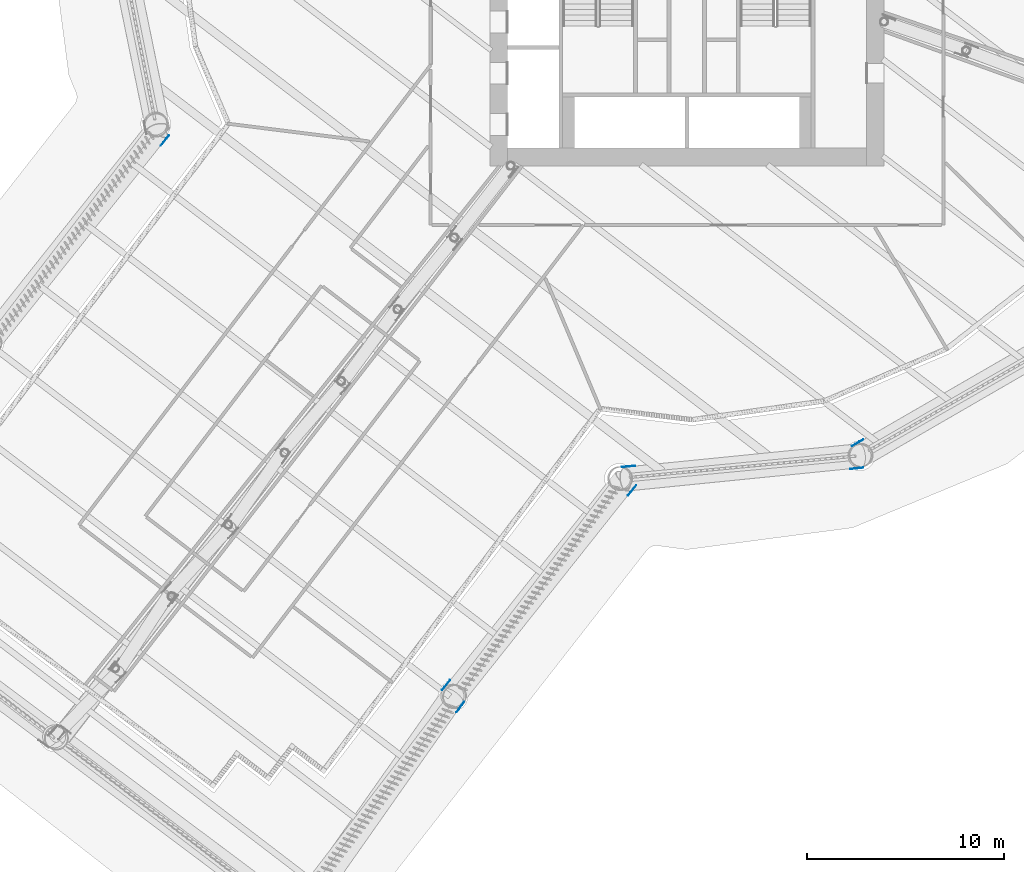
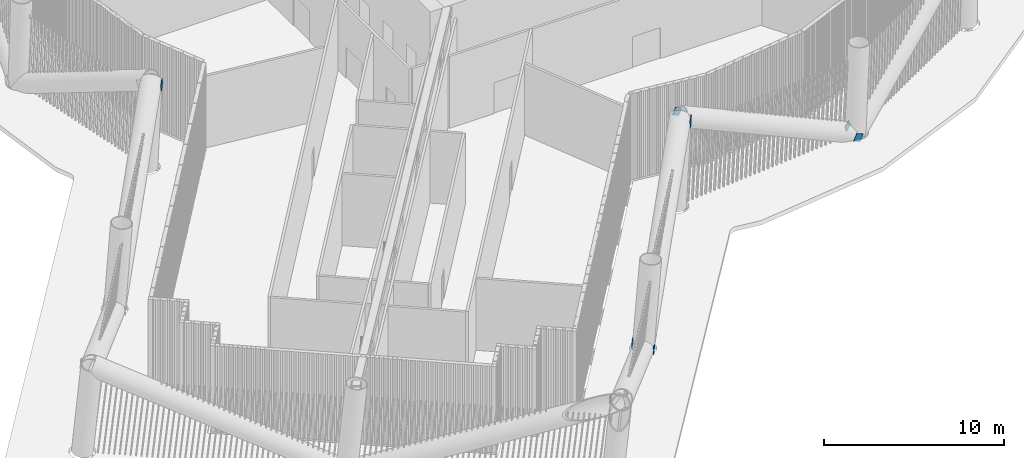
# One storey, part 23 of 48: 7 discrete accessories.
"""IFC4 building model written with IfcOpenShell, lengths in metres."""

from ifc_helpers import new_model, si_unit, direction, frame, origin, origin_2d, place, context, subcontext, project, spatial, rectangle, extrude, material, material_profile, profile_set, type_object, element, save


model = new_model("IFC4")

# Units and contexts
model_context = context("Model", 3, precision=1e-05, world=origin(), true_north=direction((0.0, 1.0)))
body_context = subcontext(model_context, "Body", "Model", "MODEL_VIEW")
ifc_project = project(units=[si_unit("LENGTHUNIT", "METRE"), si_unit("AREAUNIT", "SQUARE_METRE"), si_unit("VOLUMEUNIT", "CUBIC_METRE"), si_unit("PLANEANGLEUNIT", "RADIAN"), si_unit("MASSUNIT", "GRAM", prefix="KILO")], contexts=[model_context])

# Site, building, storey
site_placement = place(None, origin())
site = spatial("IfcSite", under=ifc_project, at=site_placement, CompositionType="ELEMENT")
building_placement = place(site_placement, origin())
building = spatial("IfcBuilding", under=site, at=building_placement, Name="Tarsis Ring Headquarters", CompositionType="ELEMENT")
storey_placement = place(building_placement, frame((0.0, 0.0, 34.0)))
storey = spatial("IfcBuildingStorey", under=building, at=storey_placement, Name="L06", CompositionType="ELEMENT", Elevation=34.0)

# Discrete accessories
ifc_material = material(Name="Structural steel S355", Category="steel")
ifc_material_profile = material_profile(ifc_material, rectangle(XDim=0.02490234375, YDim=0.5, at=origin_2d()), Name="PL 25x500")
ifc_profile_set = profile_set([ifc_material_profile], Name="Structural steel S355")
discrete_accessory_type = type_object("IfcDiscreteAccessoryType", Name="Gusset plate Belt truss 25", PredefinedType="BRACKET", material=ifc_profile_set)
discrete_accessory_1_placement = place(storey_placement, frame((-26.3369140625, -11.536376953125, 6.0), z_axis=(-0.570404848158, -0.717401303034, -0.399967098152), x_axis=(0.782736731039, -0.62235296246, 0.0)))
element("IfcDiscreteAccessory", 1, at=discrete_accessory_1_placement, inside=storey, type_object=discrete_accessory_type, Name="Gusset plate GP4", PredefinedType="BRACKET", context=body_context, shape_type="SweptSolid", body=[
    extrude(rectangle(XDim=0.02490234375, YDim=0.5, at=origin_2d()), origin(), (0.0, 0.0, 1.0), 0.5),
])
discrete_accessory_2_placement = place(storey_placement, frame((-11.359130859375, -40.247802734375, 0.0), z_axis=(-0.527208455303, -0.749807580875, 0.399799745271), x_axis=(0.818029158386, -0.57517675199, 0.0)))
element("IfcDiscreteAccessory", 2, at=discrete_accessory_2_placement, inside=storey, type_object=discrete_accessory_type, Name="Gusset plate GP4", PredefinedType="BRACKET", context=body_context, shape_type="SweptSolid", body=[
    extrude(rectangle(XDim=0.02490234375, YDim=0.5, at=origin_2d()), origin(), (0.0, 0.0, 1.0), 0.500244140625),
])
for number, where, z_axis, x_axis, name in (
    (3, (-12.355224609375, -39.503173828125, 0.0), (0.5718470172, 0.720302604927, 0.392625962279), (-0.783194501345, 0.62177678717, 0.0), "Gusset plate GP4"),
    (4, (-2.635009765625, -29.26708984375, 6.0), (-0.572175528482, -0.720101454361, -0.392516318174), (0.782935946881, -0.62210232525, 0.0), "Gusset plate GP4"),
):
    element("IfcDiscreteAccessory", number, at=place(storey_placement, frame(where, z_axis=z_axis, x_axis=x_axis)), inside=storey, type_object=discrete_accessory_type, Name=name, PredefinedType="BRACKET", context=body_context, shape_type="SweptSolid", body=[
        extrude(rectangle(XDim=0.02490234375, YDim=0.5, at=origin_2d()), origin(), (0.0, 0.0, 1.0), 0.5),
    ])
discrete_accessory_3_placement = place(storey_placement, frame((8.83203125, -28.31201171875, 0.0), z_axis=(-0.889323558936, -0.088834735305, 0.448566602998), x_axis=(0.099395573972, -0.995047998779, 0.0)))
element("IfcDiscreteAccessory", 5, at=discrete_accessory_3_placement, inside=storey, type_object=discrete_accessory_type, Name="Gusset plate GP4", PredefinedType="BRACKET", context=body_context, shape_type="SweptSolid", body=[
    extrude(rectangle(XDim=0.02490234375, YDim=0.5, at=origin_2d()), origin(), (0.0, 0.0, 1.0), 0.500244140625),
])
for number, where, z_axis, x_axis, name in (
    (6, (-3.183837890625, -28.26123046875, 6.0), (0.889221428358, 0.088873311346, -0.448761390808), (-0.099449617243, 0.995042598902, 0.0), "Gusset plate GP4"),
    (7, (8.458740234375, -27.154541015625, 0.0), (0.780800998963, 0.451682879325, 0.43166234089), (-0.500737494085, 0.865599192477, 0.0), "Gusset plate GP4"),
):
    element("IfcDiscreteAccessory", number, at=place(storey_placement, frame(where, z_axis=z_axis, x_axis=x_axis)), inside=storey, type_object=discrete_accessory_type, Name=name, PredefinedType="BRACKET", context=body_context, shape_type="SweptSolid", body=[
        extrude(rectangle(XDim=0.02490234375, YDim=0.5, at=origin_2d()), origin(), (0.0, 0.0, 1.0), 0.5),
    ])

save(model, "model.ifc")
